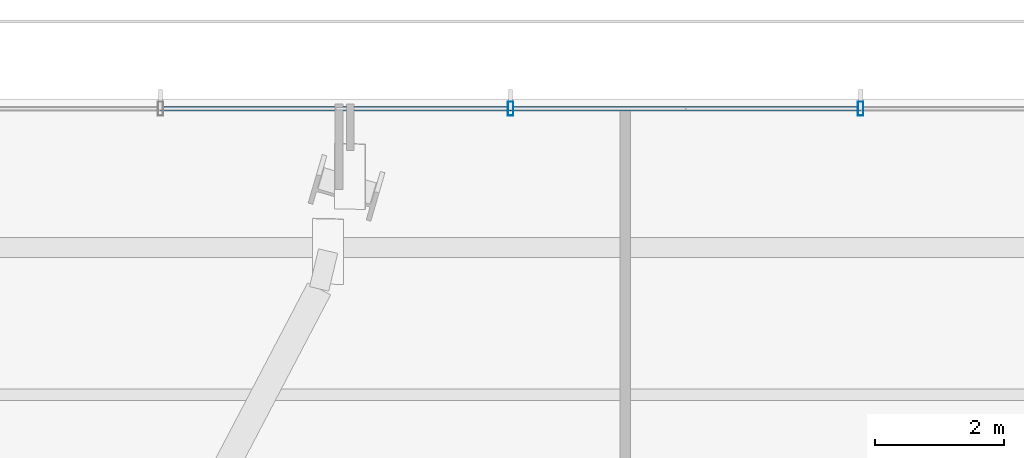
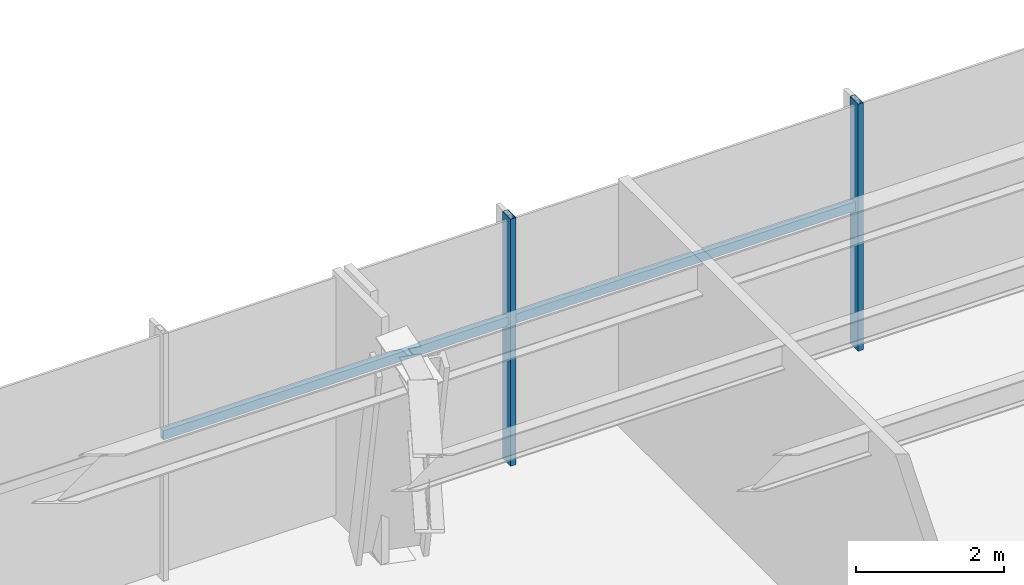
# One storey, part 17 of 36: 4 members, 1 element without a shape of its own.
"""IFC4 building model written with IfcOpenShell, lengths in metres."""

from ifc_helpers import new_model, si_unit, direction, frame, origin, origin_2d, place, context, subcontext, project, spatial, hollow_rectangle, extrude, source, transform, mapped, material, material_profile, profile_set, type_object, type_shapes, element, aggregate, save


model = new_model("IFC4")

# Units and contexts
model_context = context("Model", 3, precision=1e-05, world=origin(), true_north=direction((0.0, 1.0)))
body_context = subcontext(model_context, "Body", "Model", "MODEL_VIEW")
ifc_project = project(units=[si_unit("LENGTHUNIT", "METRE"), si_unit("AREAUNIT", "SQUARE_METRE"), si_unit("VOLUMEUNIT", "CUBIC_METRE"), si_unit("PLANEANGLEUNIT", "RADIAN"), si_unit("MASSUNIT", "GRAM", prefix="KILO")], contexts=[model_context])

# Site, building, storey
site_placement = place(None, origin())
site = spatial("IfcSite", under=ifc_project, at=site_placement, CompositionType="ELEMENT")
building_placement = place(site_placement, origin())
building = spatial("IfcBuilding", under=site, at=building_placement, Name="Astriad Promenade Condominiums", CompositionType="ELEMENT")
storey_placement = place(building_placement, frame((0.0, 0.0, 5.0)))
storey = spatial("IfcBuildingStorey", under=building, at=storey_placement, Name="L01", CompositionType="ELEMENT", Elevation=5.0)

# Curtain wall, members
ifc_material_1 = material(Name="Anodised aluminium Black Dark Glass Unitised", Category="aluminium")
curtain_wall_type = type_object("IfcCurtainWallType", Name="CW-POD-DARK", PredefinedType="USERDEFINED", material=ifc_material_1)
curtain_wall_placement = place(storey_placement, origin())
curtain_wall = element("IfcCurtainWall", 1, at=curtain_wall_placement, inside=storey, type_object=curtain_wall_type, Name="CW-L01-N", ObjectType="UNITISED_CURTAIN_WALL", PredefinedType="USERDEFINED")
ifc_material_2 = material(Name="Anodised aluminium 6063-T6 Black", Category="aluminium")
ifc_material_profile_1 = material_profile(ifc_material_2, hollow_rectangle(XDim=0.0849609375, YDim=0.219970703125, WallThickness=0.0048828125, at=origin_2d()), Name="ALU-MUL-85X220")
ifc_profile_set_1 = profile_set([ifc_material_profile_1], Name="Anodised aluminium 6063-T6 Black")
member_type_1 = type_object("IfcMemberType", Name="MUL-ALU-MUL-85X220", PredefinedType="MULLION", material=ifc_profile_set_1)
shared_shape_1 = source(origin(), body_context, "Body", "SweptSolid", [
    extrude(hollow_rectangle(XDim=0.0849609375, YDim=0.219970703125, WallThickness=0.0048828125, at=origin_2d()), origin(), (0.0, 0.0, 1.0), 4.080078125),
])
type_shapes(member_type_1, [shared_shape_1])
member_1_placement = place(storey_placement, frame((24.22509765625, 35.449951171875, 0.0), z_axis=(0.0, 0.0, 1.0), x_axis=(1.0, 0.0, 0.0)))
member_1 = element("IfcMember", 2, at=member_1_placement, type_object=member_type_1, Name="CW-L01-N-MUL-03", PredefinedType="MULLION", context=body_context, shape_type="MappedRepresentation", body=[
    mapped(shared_shape_1, transform((0.0, 0.0, 0.0), scale=1.0)),
])
member_2_placement = place(storey_placement, frame((29.64990234375, 35.449951171875, 0.0), z_axis=(0.0, 0.0, 1.0), x_axis=(1.0, 0.0, 0.0)))
member_2 = element("IfcMember", 3, at=member_2_placement, type_object=member_type_1, Name="CW-L01-N-MUL-04", PredefinedType="MULLION", context=body_context, shape_type="MappedRepresentation", body=[
    mapped(shared_shape_1, transform((0.0, 0.0, 0.0), scale=1.0)),
])
ifc_material_profile_2 = material_profile(ifc_material_2, hollow_rectangle(XDim=0.074951171875, YDim=0.14990234375, WallThickness=0.004150390625, at=origin_2d()), Name="ALU-TRN-75X150")
ifc_profile_set_2 = profile_set([ifc_material_profile_2], Name="Anodised aluminium 6063-T6 Black")
member_type_2 = type_object("IfcMemberType", Name="TRN-ALU-TRN-75X150", PredefinedType="USERDEFINED", material=ifc_profile_set_2)
shared_shape_2 = source(origin(), body_context, "Body", "SweptSolid", [
    extrude(hollow_rectangle(XDim=0.074951171875, YDim=0.14990234375, WallThickness=0.004150390625, at=origin_2d()), origin(), (0.0, 0.0, 1.0), 5.425048828125),
])
member_3_placement = place(storey_placement, frame((18.800048828125, 35.449951171875, 2.35009765625), z_axis=(1.0, 0.0, 0.0), x_axis=(0.0, 1.0, 0.0)))
member_3 = element("IfcMember", 4, at=member_3_placement, type_object=member_type_2, Name="CW-L01-N-TRN-02-0", ObjectType="TRANSOM", PredefinedType="USERDEFINED", context=body_context, shape_type="MappedRepresentation", body=[
    mapped(shared_shape_2, transform((0.0, 0.0, 0.0), scale=1.0)),
])
shared_shape_3 = source(origin(), body_context, "Body", "SweptSolid", [
    extrude(hollow_rectangle(XDim=0.074951171875, YDim=0.14990234375, WallThickness=0.004150390625, at=origin_2d()), origin(), (0.0, 0.0, 1.0), 5.4248046875),
])
type_shapes(member_type_2, [shared_shape_2, shared_shape_3])
member_4_placement = place(storey_placement, frame((24.22509765625, 35.449951171875, 2.35009765625), z_axis=(1.0, 0.0, 0.0), x_axis=(0.0, 1.0, 0.0)))
member_4 = element("IfcMember", 5, at=member_4_placement, type_object=member_type_2, Name="CW-L01-N-TRN-03-0", ObjectType="TRANSOM", PredefinedType="USERDEFINED", context=body_context, shape_type="MappedRepresentation", body=[
    mapped(shared_shape_3, transform((0.0, 0.0, 0.0), scale=1.0)),
])
aggregate(curtain_wall, [member_1, member_2, member_3, member_4])

save(model, "model.ifc")
